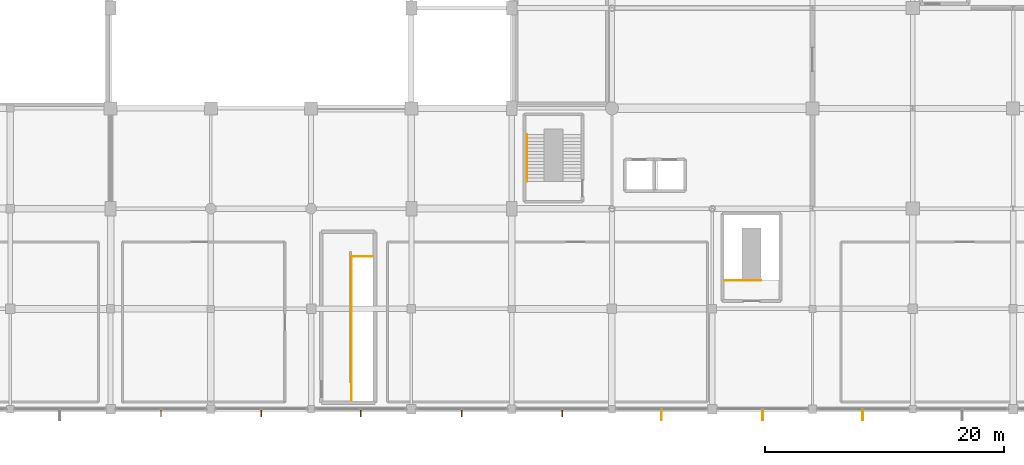
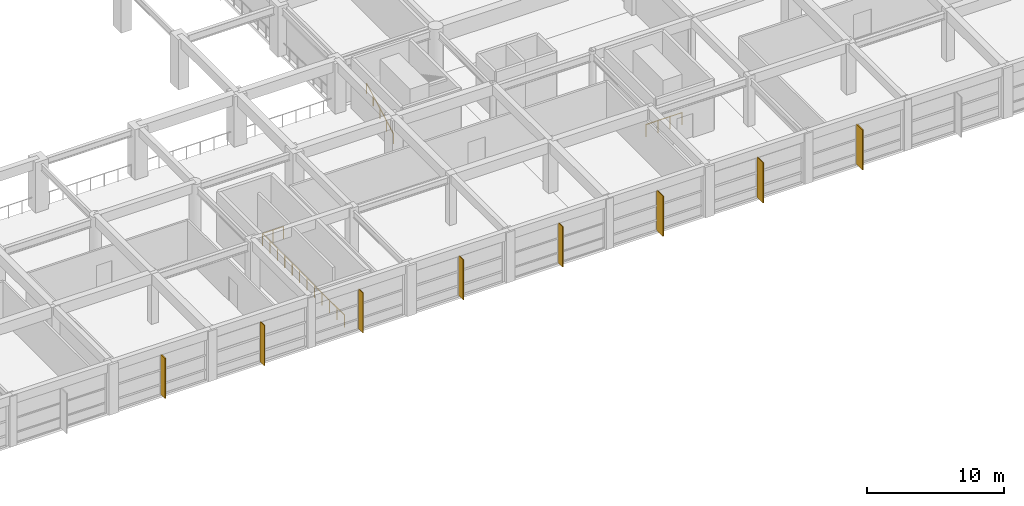
# One storey, part 51 of 56: 8 shading devices, 3 railings.
"""IFC4 building model written with IfcOpenShell, lengths in metres."""

from ifc_helpers import new_model, si_unit, direction, frame, origin, origin_2d, place, context, subcontext, project, spatial, rectangle, circle, extrude, material, type_object, element, save


model = new_model("IFC4")

# Units and contexts
model_context = context("Model", 3, precision=1e-05, world=origin(), true_north=direction((0.0, 1.0)))
body_context = subcontext(model_context, "Body", "Model", "MODEL_VIEW")
ifc_project = project(units=[si_unit("LENGTHUNIT", "METRE"), si_unit("AREAUNIT", "SQUARE_METRE"), si_unit("VOLUMEUNIT", "CUBIC_METRE"), si_unit("PLANEANGLEUNIT", "RADIAN"), si_unit("MASSUNIT", "GRAM", prefix="KILO")], contexts=[model_context])

# Site, building, storey
site_placement = place(None, origin())
site = spatial("IfcSite", under=ifc_project, at=site_placement, CompositionType="ELEMENT")
building_placement = place(site_placement, origin())
building = spatial("IfcBuilding", under=site, at=building_placement, Name="Xuanlan Plaza Opera House", CompositionType="ELEMENT")
storey_placement = place(building_placement, frame((0.0, 0.0, 18.89990234375)))
storey = spatial("IfcBuildingStorey", under=building, at=storey_placement, Name="L04", CompositionType="ELEMENT", Elevation=18.89990234375)

# Shading devices
ifc_material_1 = material(Name="Anodised Aluminium 6063-T6", Category="aluminium")
shading_device_type_1 = type_object("IfcShadingDeviceType", Name="ENV-SHD-BRS01", PredefinedType="JALOUSIE", material=ifc_material_1)
for number, where, z_axis, x_axis, name in (
    (1, (71.425048828125, 16.47509765625, 0.0400390625), (0.0, 0.0, 1.0), (0.0, -1.0, 0.0), "Parametric Sunshade Fin L04-0202"),
    (2, (79.824951171875, 16.47509765625, 0.0400390625), (0.0, 0.0, 1.0), (0.0, -1.0, 0.0), "Parametric Sunshade Fin L04-0203"),
    (3, (88.14990234375, 16.47509765625, 0.0400390625), (0.0, 0.0, 1.0), (0.0, -1.0, 0.0), "Parametric Sunshade Fin L04-0204"),
    (4, (96.625, 16.47509765625, 0.0400390625), (0.0, 0.0, 1.0), (0.0, -1.0, 0.0), "Parametric Sunshade Fin L04-0205"),
    (5, (105.02490234375, 16.47509765625, 0.0400390625), (0.0, 0.0, 1.0), (0.0, -1.0, 0.0), "Parametric Sunshade Fin L04-0206"),
):
    element("IfcShadingDevice", number, at=place(storey_placement, frame(where, z_axis=z_axis, x_axis=x_axis)), inside=storey, type_object=shading_device_type_1, Name=name, PredefinedType="JALOUSIE", context=body_context, shape_type="SweptSolid", body=[
        extrude(rectangle(XDim=0.639892578125, YDim=0.070068359375, at=origin_2d()), origin(), (0.0, 0.0, 1.0), 3.60009765625),
    ])
shading_device_type_2 = type_object("IfcShadingDeviceType", Name="ENV-SHD-BRS02", PredefinedType="JALOUSIE", material=ifc_material_1)
for number, where, z_axis, x_axis, name in (
    (6, (113.35009765625, 16.3349609375, 0.0400390625), (0.0, 0.0, 1.0), (0.0, -1.0, 0.0), "Parametric Sunshade Fin L04-0207"),
    (7, (121.824951171875, 16.3349609375, 0.0400390625), (0.0, 0.0, 1.0), (0.0, -1.0, 0.0), "Parametric Sunshade Fin L04-0208"),
    (8, (130.22509765625, 16.3349609375, 0.0400390625), (0.0, 0.0, 1.0), (0.0, -1.0, 0.0), "Parametric Sunshade Fin L04-0209"),
):
    element("IfcShadingDevice", number, at=place(storey_placement, frame(where, z_axis=z_axis, x_axis=x_axis)), inside=storey, type_object=shading_device_type_2, Name=name, PredefinedType="JALOUSIE", context=body_context, shape_type="SweptSolid", body=[
        extrude(rectangle(XDim=0.919921875, YDim=0.080078125, at=origin_2d()), origin(), (0.0, 0.0, 1.0), 3.60009765625),
    ])

# Railings
ifc_material_2 = material(Name="Galvanised Steel Q235B", Category="steel")
railing_type_1 = type_object("IfcRailingType", Name="INT-RL-GR04", PredefinedType="GUARDRAIL", material=ifc_material_2)
railing_1_placement = place(storey_placement, frame((89.169921875, 29.574951171875, 0.0)))
element("IfcRailing", 9, at=railing_1_placement, inside=storey, type_object=railing_type_1, Name="Top Stairwell Guardrail ST-P3 L04", PredefinedType="GUARDRAIL", context=body_context, shape_type="SweptSolid", body=[
    extrude(circle(Radius=0.02392578125, at=origin_2d()), frame((0.0, 0.0, 1.076171875), z_axis=(-1.0, 0.0, 0.0), x_axis=(0.0, -1.0, 0.0)), (0.0, 0.0, 1.0), 1.7998046875),
    extrude(circle(Radius=0.02392578125, at=origin_2d()), frame((-1.7998046875, 0.0, 1.076171875), z_axis=(0.0, -1.0, 0.0), x_axis=(1.0, 0.0, 0.0)), (0.0, 0.0, 1.0), 12.034912109375),
    extrude(circle(Radius=0.02099609375, at=origin_2d()), origin(), (0.0, 0.0, 1.0), 1.052001953125),
    extrude(circle(Radius=0.02099609375, at=origin_2d()), frame((-0.89990234375, 0.0, 0.0)), (0.0, 0.0, 1.0), 1.052001953125),
    extrude(circle(Radius=0.02099609375, at=origin_2d()), frame((-1.7998046875, 0.0, 0.0)), (0.0, 0.0, 1.0), 1.052001953125),
    extrude(circle(Radius=0.02099609375, at=origin_2d()), frame((-1.7998046875, -1.093994140625, 0.0)), (0.0, 0.0, 1.0), 1.052001953125),
    extrude(circle(Radius=0.02099609375, at=origin_2d()), frame((-1.7998046875, -2.188232421875, 0.0)), (0.0, 0.0, 1.0), 1.052001953125),
    extrude(circle(Radius=0.02099609375, at=origin_2d()), frame((-1.7998046875, -3.2822265625, 0.0)), (0.0, 0.0, 1.0), 1.052001953125),
    extrude(circle(Radius=0.02099609375, at=origin_2d()), frame((-1.7998046875, -4.376220703125, 0.0)), (0.0, 0.0, 1.0), 1.052001953125),
    extrude(circle(Radius=0.02099609375, at=origin_2d()), frame((-1.7998046875, -5.470458984375, 0.0)), (0.0, 0.0, 1.0), 1.052001953125),
    extrude(circle(Radius=0.02099609375, at=origin_2d()), frame((-1.7998046875, -6.564453125, 0.0)), (0.0, 0.0, 1.0), 1.052001953125),
    extrude(circle(Radius=0.02099609375, at=origin_2d()), frame((-1.7998046875, -7.65869140625, 0.0)), (0.0, 0.0, 1.0), 1.052001953125),
    extrude(circle(Radius=0.02099609375, at=origin_2d()), frame((-1.7998046875, -8.752685546875, 0.0)), (0.0, 0.0, 1.0), 1.052001953125),
    extrude(circle(Radius=0.02099609375, at=origin_2d()), frame((-1.7998046875, -9.8466796875, 0.0)), (0.0, 0.0, 1.0), 1.052001953125),
    extrude(circle(Radius=0.02099609375, at=origin_2d()), frame((-1.7998046875, -10.94091796875, 0.0)), (0.0, 0.0, 1.0), 1.052001953125),
    extrude(circle(Radius=0.02099609375, at=origin_2d()), frame((-1.7998046875, -12.034912109375, 0.0)), (0.0, 0.0, 1.0), 1.052001953125),
])
railing_2_placement = place(storey_placement, frame((118.639892578125, 27.580078125, 0.0)))
element("IfcRailing", 10, at=railing_2_placement, inside=storey, type_object=railing_type_1, Name="Feature Stair Top Guardrail ST-F3 L04", PredefinedType="GUARDRAIL", context=body_context, shape_type="SweptSolid", body=[
    extrude(circle(Radius=0.02392578125, at=origin_2d()), frame((0.0, 0.0, 1.076171875), z_axis=(1.0, 0.0, 0.0), x_axis=(0.0, 1.0, 0.0)), (0.0, 0.0, 1.0), 3.06005859375),
    extrude(circle(Radius=0.02099609375, at=origin_2d()), origin(), (0.0, 0.0, 1.0), 1.052001953125),
    extrude(circle(Radius=0.02099609375, at=origin_2d()), frame((1.02001953125, 0.0, 0.0)), (0.0, 0.0, 1.0), 1.052001953125),
    extrude(circle(Radius=0.02099609375, at=origin_2d()), frame((2.0400390625, 0.0, 0.0)), (0.0, 0.0, 1.0), 1.052001953125),
    extrude(circle(Radius=0.02099609375, at=origin_2d()), frame((3.06005859375, 0.0, 0.0)), (0.0, 0.0, 1.0), 1.052001953125),
])
ifc_material_3 = material(Name="Stainless Steel S30408", Category="steel")
railing_type_2 = type_object("IfcRailingType", Name="INT-RL-HR02", PredefinedType="HANDRAIL", material=ifc_material_3)
railing_3_placement = place(storey_placement, frame((102.080078125, 35.8798828125, 0.150146484375)))
element("IfcRailing", 11, at=railing_3_placement, inside=storey, type_object=railing_type_2, Name="Feature Stair Handrail ST-F1 L04 Flight 1", PredefinedType="HANDRAIL", context=body_context, shape_type="SweptSolid", body=[
    extrude(circle(Radius=0.02392578125, at=origin_2d()), frame((0.0, 0.0, 0.89599609375), z_axis=(0.0, 0.881502004561, 0.472180279083), x_axis=(-1.0, 0.0, 0.0)), (0.0, 0.0, 1.0), 4.447265625),
    extrude(circle(Radius=0.02099609375, at=origin_2d()), origin(), (0.0, 0.0, 1.0), 0.871826171875),
    extrude(circle(Radius=0.02099609375, at=origin_2d()), frame((0.0, 0.97998046875, 0.52490234375)), (0.0, 0.0, 1.0), 0.871826171875),
    extrude(circle(Radius=0.02099609375, at=origin_2d()), frame((0.0, 1.9599609375, 1.0498046875)), (0.0, 0.0, 1.0), 0.871826171875),
    extrude(circle(Radius=0.02099609375, at=origin_2d()), frame((0.0, 2.940185546875, 1.574951171875)), (0.0, 0.0, 1.0), 0.871826171875),
    extrude(circle(Radius=0.02099609375, at=origin_2d()), frame((0.0, 3.920166015625, 2.099853515625)), (0.0, 0.0, 1.0), 0.871826171875),
])

save(model, "model.ifc")
